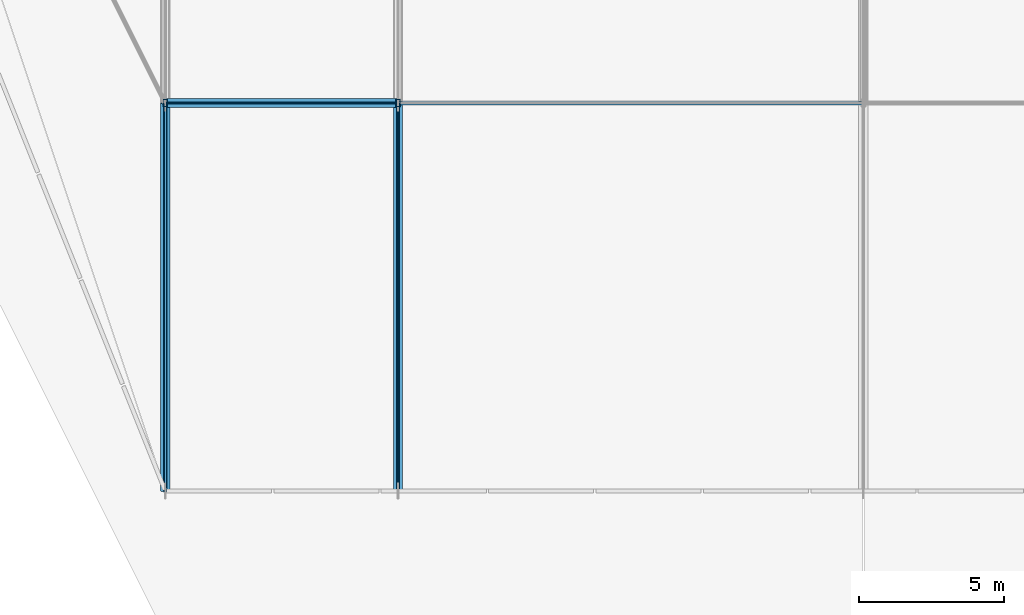
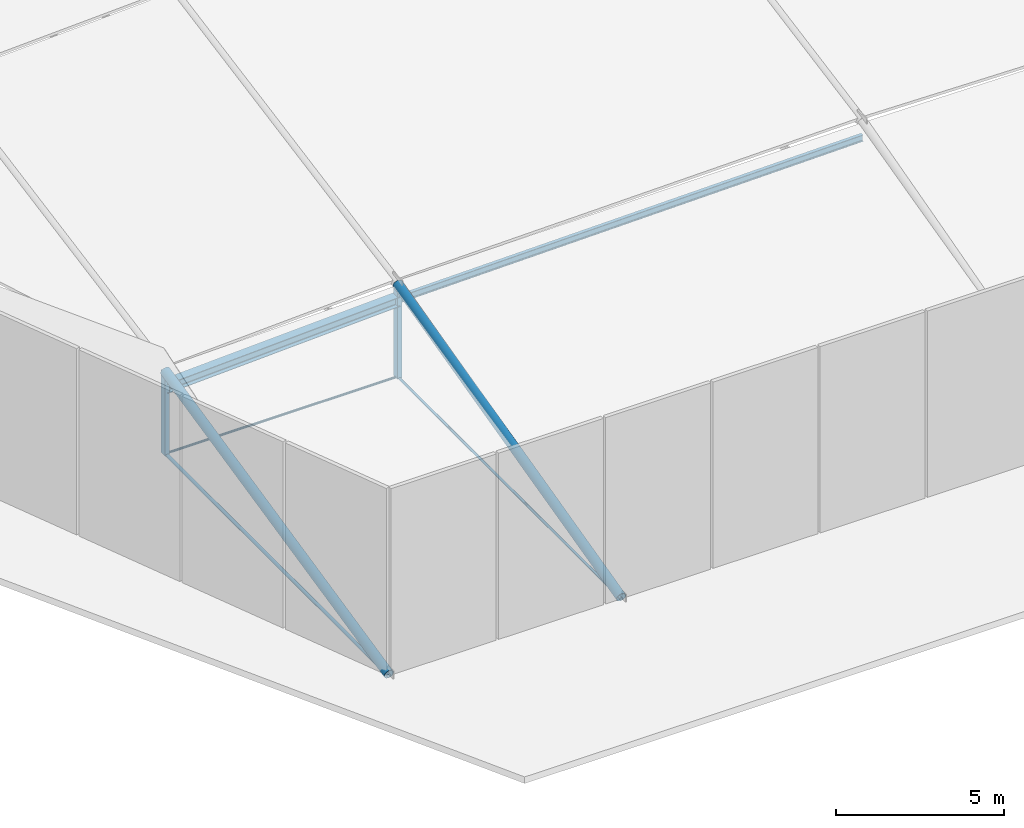
# One storey, part 1 of 30: 9 members.
"""IFC4 building model written with IfcOpenShell, lengths in metres."""

from ifc_helpers import new_model, si_unit, direction, frame, origin, origin_2d, place, context, subcontext, project, spatial, hollow_rectangle, circle, hollow_circle, i_section, extrude, material, material_profile, profile_set, type_object, element, save


model = new_model("IFC4")

# Units and contexts
model_context = context("Model", 3, precision=1e-05, world=origin(), true_north=direction((0.0, 1.0)))
body_context = subcontext(model_context, "Body", "Model", "MODEL_VIEW")
ifc_project = project(units=[si_unit("LENGTHUNIT", "METRE"), si_unit("AREAUNIT", "SQUARE_METRE"), si_unit("VOLUMEUNIT", "CUBIC_METRE"), si_unit("PLANEANGLEUNIT", "RADIAN"), si_unit("MASSUNIT", "GRAM", prefix="KILO")], contexts=[model_context])

# Site, building, storey
site_placement = place(None, origin())
site = spatial("IfcSite", under=ifc_project, at=site_placement, CompositionType="ELEMENT")
building_placement = place(site_placement, origin())
building = spatial("IfcBuilding", under=site, at=building_placement, Name="Tazarka Park Arena", CompositionType="ELEMENT")
storey_placement = place(building_placement, frame((0.0, 0.0, 29.39990234375)))
storey = spatial("IfcBuildingStorey", under=building, at=storey_placement, Name="Roof", CompositionType="ELEMENT", Elevation=29.39990234375)

# Members
ifc_material_1 = material(Name="Locked-coil steel cable S1570", Category="steel")
ifc_material_profile_1 = material_profile(ifc_material_1, circle(Radius=0.0400390625, at=origin_2d()), Name="Locked-coil steel cable S1570")
ifc_profile_set_1 = profile_set([ifc_material_profile_1], Name="Locked-coil steel cable S1570")
member_type_1 = type_object("IfcMemberType", Name="MEM-CBL-01", PredefinedType="USERDEFINED", material=ifc_profile_set_1)
member_1_placement = place(storey_placement, frame((64.0, 37.333251953125, -0.0498046875), z_axis=(1.0, 0.0, 0.0), x_axis=(0.0, 1.0, 0.0)))
element("IfcMember", 1, at=member_1_placement, inside=storey, type_object=member_type_1, Name="CABLE TRANSVERSE 3-1", ObjectType="CABLE", PredefinedType="USERDEFINED", context=body_context, shape_type="SweptSolid", body=[
    extrude(circle(Radius=0.0400390625, at=origin_2d()), origin(), (0.0, 0.0, 1.0), 8.0),
])
ifc_material_2 = material(Name="Locked-coil steel cable S1570", Category="steel")
ifc_material_profile_2 = material_profile(ifc_material_2, circle(Radius=0.06005859375, at=origin_2d()), Name="Locked-coil steel cable S1570")
ifc_profile_set_2 = profile_set([ifc_material_profile_2], Name="Locked-coil steel cable S1570")
member_type_2 = type_object("IfcMemberType", Name="MEM-CBL-03", PredefinedType="USERDEFINED", material=ifc_profile_set_2)
member_2_placement = place(storey_placement, frame((64.0, 24.0, -0.0498046875), z_axis=(0.0, 1.0, 0.0), x_axis=(-1.0, 0.0, 0.0)))
element("IfcMember", 2, at=member_2_placement, inside=storey, type_object=member_type_2, Name="CABLE CBL-03-3-1", ObjectType="CABLE", PredefinedType="USERDEFINED", context=body_context, shape_type="SweptSolid", body=[
    extrude(circle(Radius=0.06005859375, at=origin_2d()), origin(), (0.0, 0.0, 1.0), 13.333251953125),
])
ifc_material_3 = material(Name="Locked-coil steel cable S1570", Category="steel")
ifc_material_profile_3 = material_profile(ifc_material_3, circle(Radius=0.044921875, at=origin_2d()), Name="Locked-coil steel cable S1570")
ifc_profile_set_3 = profile_set([ifc_material_profile_3], Name="Locked-coil steel cable S1570")
member_type_3 = type_object("IfcMemberType", Name="MEM-CBL-04", PredefinedType="USERDEFINED", material=ifc_profile_set_3)
member_3_placement = place(storey_placement, frame((72.0, 24.0, -0.0498046875), z_axis=(0.0, 1.0, 0.0), x_axis=(-1.0, 0.0, 0.0)))
element("IfcMember", 3, at=member_3_placement, inside=storey, type_object=member_type_3, Name="CABLE CBL-04-4-1", ObjectType="CABLE", PredefinedType="USERDEFINED", context=body_context, shape_type="SweptSolid", body=[
    extrude(circle(Radius=0.044921875, at=origin_2d()), origin(), (0.0, 0.0, 1.0), 13.333251953125),
])
ifc_material_4 = material(Name="Steel S460", Category="steel")
ifc_material_profile_4 = material_profile(ifc_material_4, hollow_circle(Radius=0.161865234375, WallThickness=0.01611328125, at=origin_2d()), Name="Steel S460")
ifc_profile_set_4 = profile_set([ifc_material_profile_4], Name="Steel S460")
member_type_4 = type_object("IfcMemberType", Name="MEM-CH-03", PredefinedType="CHORD", material=ifc_profile_set_4)
member_4_placement = place(storey_placement, frame((64.0, 24.0, 0.0), z_axis=(0.0, 0.976380595704, 0.216057706024), x_axis=(-1.0, 0.0, 0.0)))
element("IfcMember", 4, at=member_4_placement, inside=storey, type_object=member_type_4, Name="CABLE ARCH CHORD 3-1", PredefinedType="CHORD", context=body_context, shape_type="SweptSolid", body=[
    extrude(hollow_circle(Radius=0.161865234375, WallThickness=0.01611328125, at=origin_2d()), origin(), (0.0, 0.0, 1.0), 13.65576171875),
])
member_5_placement = place(storey_placement, frame((72.0, 24.0, 0.0), z_axis=(0.0, 0.970314700319, 0.241845782153), x_axis=(-1.0, 0.0, 0.0)))
element("IfcMember", 5, at=member_5_placement, inside=storey, type_object=member_type_4, Name="CABLE ARCH CHORD 4-1", PredefinedType="CHORD", context=body_context, shape_type="SweptSolid", body=[
    extrude(hollow_circle(Radius=0.161865234375, WallThickness=0.01611328125, at=origin_2d()), origin(), (0.0, 0.0, 1.0), 13.7412109375),
])
ifc_material_5 = material(Name="Steel S355", Category="steel")
ifc_material_profile_5 = material_profile(ifc_material_5, i_section(OverallWidth=0.1201171875, OverallDepth=0.239990234375, WebThickness=0.006103515625, FlangeThickness=0.009765625, FilletRadius=0.014892578125, at=origin_2d()), Name="Steel S355")
ifc_profile_set_5 = profile_set([ifc_material_profile_5], Name="Steel S355")
member_type_5 = type_object("IfcMemberType", Name="MEM-PR-01", PredefinedType="PURLIN", material=ifc_profile_set_5)
member_6_placement = place(storey_placement, frame((72.0, 37.333251953125, 2.76318359375), z_axis=(0.999826204181, 0.0, 0.018642999596), x_axis=(0.0, 1.0, 0.0)))
element("IfcMember", 6, at=member_6_placement, inside=storey, type_object=member_type_5, Name="RPM-03-01", PredefinedType="PURLIN", context=body_context, shape_type="SweptSolid", body=[
    extrude(i_section(OverallWidth=0.1201171875, OverallDepth=0.239990234375, WebThickness=0.006103515625, FlangeThickness=0.009765625, FilletRadius=0.014892578125, at=origin_2d()), origin(), (0.0, 0.0, 1.0), 16.002685546875),
])
ifc_material_6 = material(Name="Steel S355", Category="steel")
ifc_material_profile_6 = material_profile(ifc_material_6, i_section(OverallWidth=0.300048828125, OverallDepth=0.35009765625, WebThickness=0.010009765625, FlangeThickness=0.017578125, FilletRadius=0.027099609375, at=origin_2d()), Name="Steel S355")
ifc_profile_set_6 = profile_set([ifc_material_profile_6], Name="Steel S355")
member_type_6 = type_object("IfcMemberType", Name="MEM-PR-04", PredefinedType="PURLIN", material=ifc_profile_set_6)
member_7_placement = place(storey_placement, frame((64.0, 37.333251953125, 2.390380859375), z_axis=(0.998915969307, 0.0, 0.046549825596), x_axis=(0.0, 1.0, 0.0)))
element("IfcMember", 7, at=member_7_placement, inside=storey, type_object=member_type_6, Name="RPM-02-01", PredefinedType="PURLIN", context=body_context, shape_type="SweptSolid", body=[
    extrude(i_section(OverallWidth=0.300048828125, OverallDepth=0.35009765625, WebThickness=0.010009765625, FlangeThickness=0.017578125, FilletRadius=0.027099609375, at=origin_2d()), origin(), (0.0, 0.0, 1.0), 8.0087890625),
])
ifc_material_7 = material(Name="Steel S355", Category="steel")
ifc_material_profile_7 = material_profile(ifc_material_7, hollow_rectangle(XDim=0.14990234375, YDim=0.25, WallThickness=0.010009765625, at=origin_2d()), Name="Steel S355")
ifc_profile_set_7 = profile_set([ifc_material_profile_7], Name="Steel S355")
member_type_7 = type_object("IfcMemberType", Name="MEM-PT-02", PredefinedType="POST", material=ifc_profile_set_7)
member_8_placement = place(storey_placement, frame((64.0, 37.333251953125, -0.0498046875), z_axis=(0.0, 0.0, 1.0), x_axis=(1.0, 0.0, 0.0)))
element("IfcMember", 8, at=member_8_placement, inside=storey, type_object=member_type_7, Name="CBH-02-1", PredefinedType="POST", context=body_context, shape_type="SweptSolid", body=[
    extrude(hollow_rectangle(XDim=0.14990234375, YDim=0.25, WallThickness=0.010009765625, at=origin_2d()), origin(), (0.0, 0.0, 1.0), 3.000244140625),
])
member_9_placement = place(storey_placement, frame((72.0, 37.333251953125, -0.0498046875), z_axis=(0.0, 0.0, 1.0), x_axis=(1.0, 0.0, 0.0)))
element("IfcMember", 9, at=member_9_placement, inside=storey, type_object=member_type_7, Name="CBH-03-1", PredefinedType="POST", context=body_context, shape_type="SweptSolid", body=[
    extrude(hollow_rectangle(XDim=0.14990234375, YDim=0.25, WallThickness=0.010009765625, at=origin_2d()), origin(), (0.0, 0.0, 1.0), 3.373046875),
])

save(model, "model.ifc")
